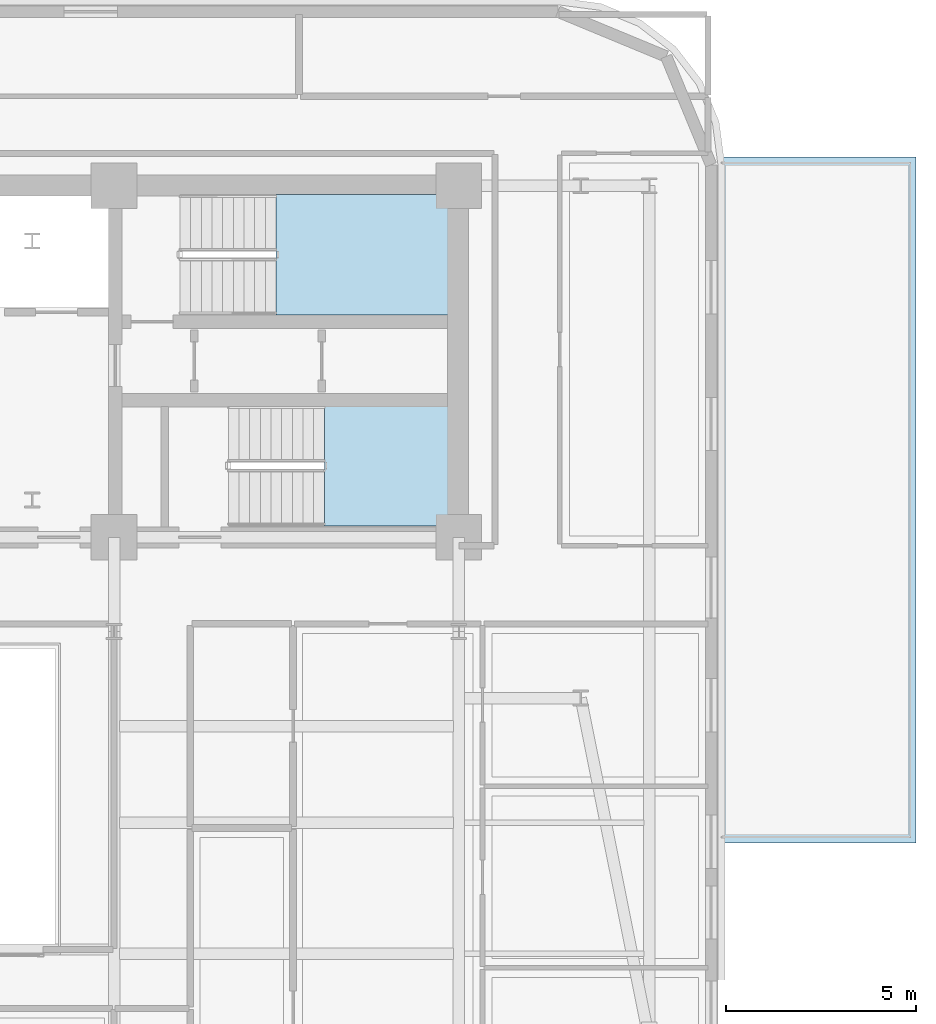
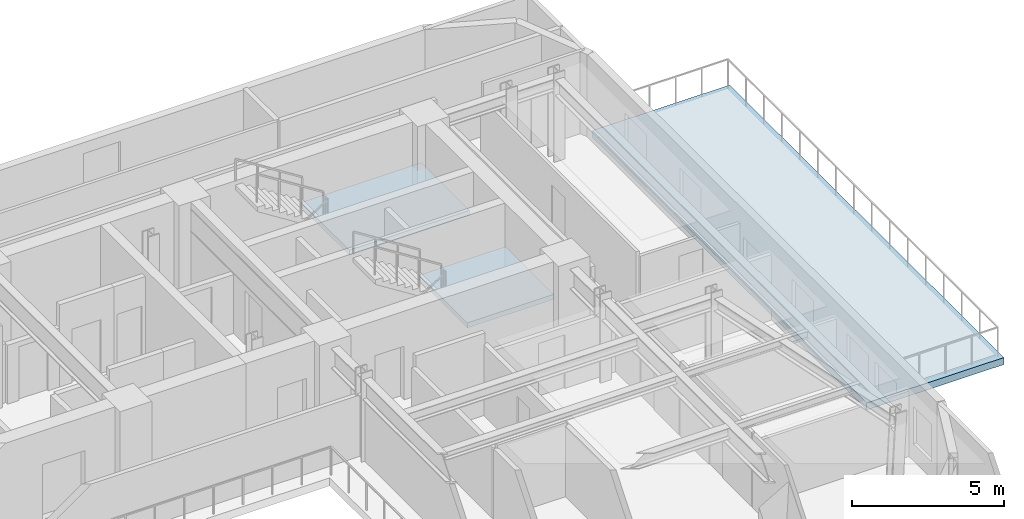
# One storey, part 4 of 13: 3 slabs, 2 elements without a shape of their own.
"""IFC4 building model written with IfcOpenShell, lengths in metres."""

from ifc_helpers import new_model, si_unit, direction, frame, origin, place, context, subcontext, project, spatial, polyline, outline, extrude, material, layer, layer_set, type_object, element, aggregate, save


model = new_model("IFC4")

# Units and contexts
model_context = context("Model", 3, precision=1e-05, world=origin(), true_north=direction((0.0, 1.0)))
body_context = subcontext(model_context, "Body", "Model", "MODEL_VIEW")
ifc_project = project(units=[si_unit("LENGTHUNIT", "METRE"), si_unit("AREAUNIT", "SQUARE_METRE"), si_unit("VOLUMEUNIT", "CUBIC_METRE"), si_unit("PLANEANGLEUNIT", "RADIAN"), si_unit("MASSUNIT", "GRAM", prefix="KILO")], contexts=[model_context])

# Site, building, storey
site_placement = place(None, origin())
site = spatial("IfcSite", under=ifc_project, at=site_placement, CompositionType="ELEMENT")
building_placement = place(site_placement, origin())
building = spatial("IfcBuilding", under=site, at=building_placement, Name="Zarnavel Station Tower", CompositionType="ELEMENT")
storey_placement = place(building_placement, frame((0.0, 0.0, 137.699951171875)))
storey = spatial("IfcBuildingStorey", under=building, at=storey_placement, Name="L37", CompositionType="ELEMENT", Elevation=137.699951171875)

# Stair, slab
ifc_material_1 = material(Name="Concrete C45/55", Category="concrete")
stair_type = type_object("IfcStairType", Name="ST_CORE_150", PredefinedType="HALF_TURN_STAIR", material=ifc_material_1)
stair_1_placement = place(storey_placement, origin())
stair_1 = element("IfcStair", 1, at=stair_1_placement, inside=storey, type_object=stair_type, Name="L37 Core Exit Stair ST2", PredefinedType="HALF_TURN_STAIR")
ifc_material_2 = material(Name="Concrete C45/55", Category="concrete")
ifc_layer_1 = layer(ifc_material_2, 0.199951171875)
ifc_layer_set_1 = layer_set([ifc_layer_1], Name="SL_STAIR_LAND_200")
slab_type_1 = type_object("IfcSlabType", Name="SL_STAIR_LAND_200", PredefinedType="LANDING", material=ifc_layer_set_1)
slab_1_placement = place(storey_placement, frame((0.0, 0.0, 1.574951171875)))
slab_1 = element("IfcSlab", 2, at=slab_1_placement, type_object=slab_type_1, Name="ST2 landing 1", PredefinedType="LANDING", context=body_context, shape_type="SweptSolid", body=[
    extrude(outline(polyline([(40.60009765625, 33.659912109375), (45.159912109375, 33.659912109375), (45.159912109375, 36.820068359375), (40.60009765625, 36.820068359375), (40.60009765625, 33.659912109375)])), origin(), (0.0, 0.0, 1.0), 0.2001953125),
])
aggregate(stair_1, [slab_1])

stair_2_placement = place(storey_placement, origin())
stair_2 = element("IfcStair", 3, at=stair_2_placement, inside=storey, type_object=stair_type, Name="L37 Core Exit Stair ST3", PredefinedType="HALF_TURN_STAIR")
slab_2_placement = place(storey_placement, frame((0.0, 0.0, 1.574951171875)))
slab_2 = element("IfcSlab", 4, at=slab_2_placement, type_object=slab_type_1, Name="ST3 landing 1", PredefinedType="LANDING", context=body_context, shape_type="SweptSolid", body=[
    extrude(outline(polyline([(41.8701171875, 28.1201171875), (45.14990234375, 28.1201171875), (45.14990234375, 31.280029296875), (41.8701171875, 31.280029296875), (41.8701171875, 28.1201171875)])), origin(), (0.0, 0.0, 1.0), 0.2001953125),
])
aggregate(stair_2, [slab_2])

# Slab
ifc_material_3 = material(Name="Concrete C45/55", Category="concrete")
ifc_layer_2 = layer(ifc_material_3, 0.280029296875)
ifc_layer_set_2 = layer_set([ifc_layer_2], Name="SL_TER_280")
slab_type_2 = type_object("IfcSlabType", Name="SL_TER_280", PredefinedType="FLOOR", material=ifc_layer_set_2)
slab_3_placement = place(storey_placement, frame((0.0, 0.0, -0.280029296875)))
element("IfcSlab", 5, at=slab_3_placement, inside=storey, type_object=slab_type_2, Name="L37 Outdoor Setback Terrace Slab TER-L37-E", PredefinedType="FLOOR", context=body_context, shape_type="SweptSolid", body=[
    extrude(outline(polyline([(52.199951171875, 19.800048828125), (57.39990234375, 19.800048828125), (57.39990234375, 37.800048828125), (52.199951171875, 37.800048828125), (52.199951171875, 19.800048828125)])), origin(), (0.0, 0.0, 1.0), 0.280029296875),
])

save(model, "model.ifc")
